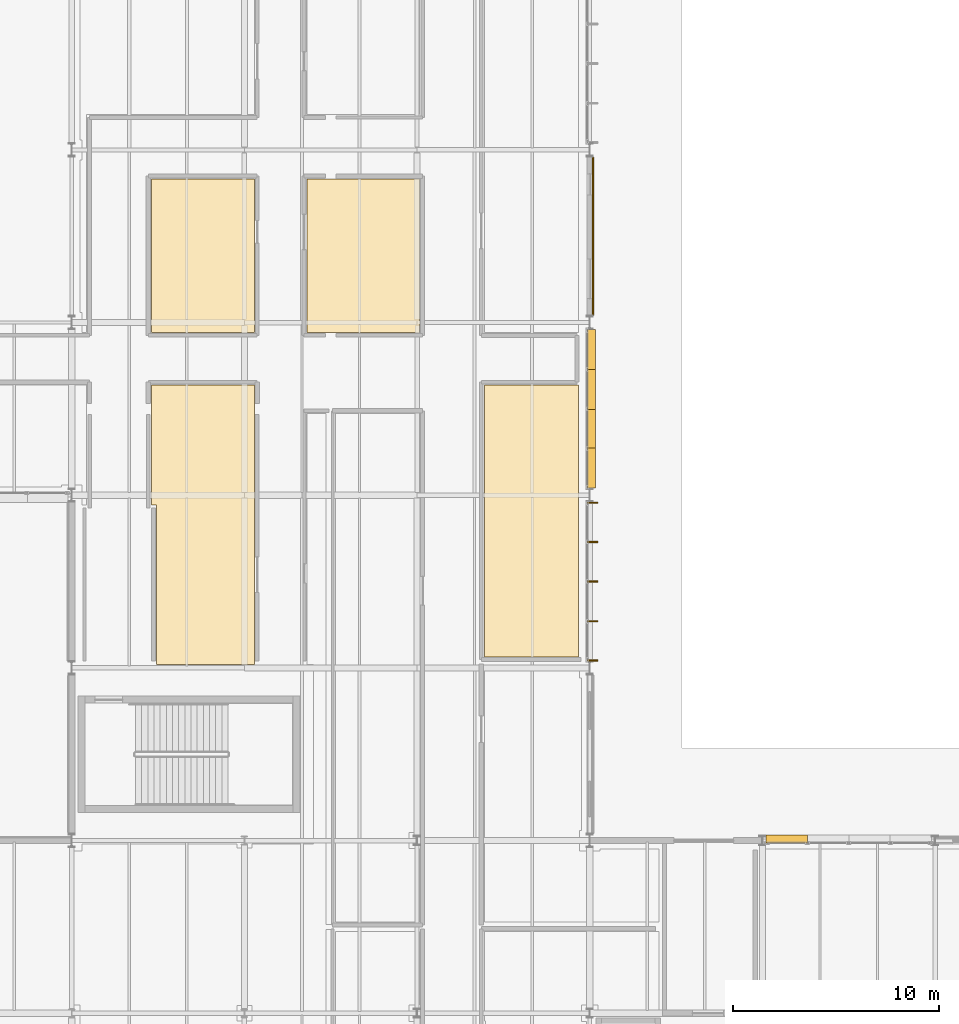
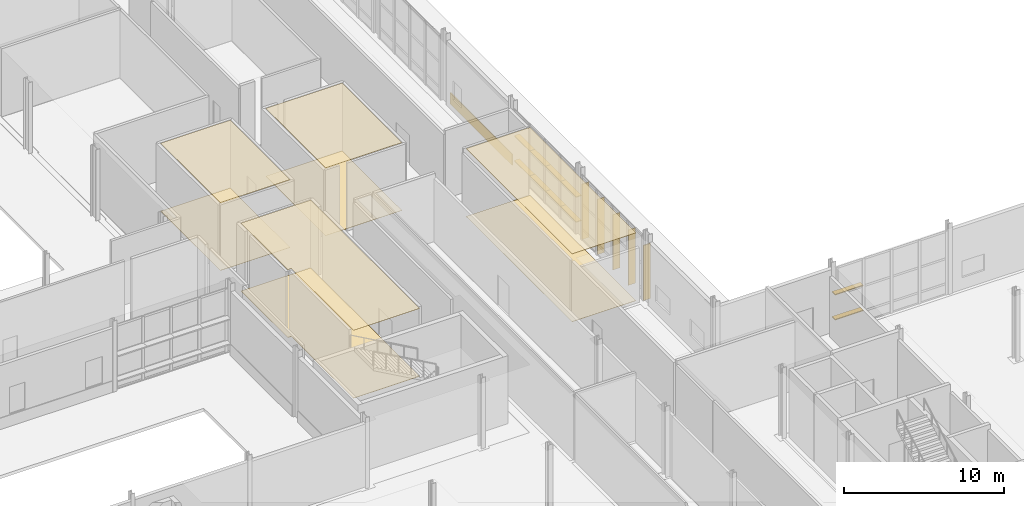
# One storey, part 106 of 124: 15 shading devices, 9 coverings.
"""IFC4 building model written with IfcOpenShell, lengths in metres."""

import ifcopenshell
import ifcopenshell.guid

model = None  # the IFC model being written
_history = None  # IfcOwnerHistory: only IFC2X3 demands one
_inside = {}  # id of a spatial element -> (the spatial element, [elements in it])
_under = {}  # id of a project, library or spatial element -> (it, [spatial elements below it])
_declared = {}  # id of a project -> (the project, [libraries it declares])
_typed = {}  # id of a type object -> (the type object, [elements of that type])
_made_of = {}  # id of a material, layer set ... -> (it, [elements and type objects made of it])


def new_model(schema):
    """Start an empty IFC model of exactly this schema.

    Asked for "IFC4X3", IfcOpenShell would pick the latest addendum, in which some entities
    have other attributes; the version numbers below select the first issue.
    IFC2X3 requires an IfcOwnerHistory on every rooted entity: one is made here for all.
    """
    global model, _history
    if schema == "IFC4X3":
        model = ifcopenshell.file(schema_version=(4, 3, 0, 0))
    else:
        model = ifcopenshell.file(schema=schema)
    _inside.clear()
    _under.clear()
    _declared.clear()
    _typed.clear()
    _made_of.clear()
    _history = None
    if model.schema == "IFC2X3":
        org = make("IfcOrganization", Name="unknown")
        user = make(
            "IfcPersonAndOrganization",
            ThePerson=make("IfcPerson", FamilyName="unknown"),
            TheOrganization=org,
        )
        app = make(
            "IfcApplication",
            ApplicationDeveloper=org,
            Version="unknown",
            ApplicationFullName="unknown",
            ApplicationIdentifier="unknown",
        )
        _history = make(
            "IfcOwnerHistory",
            OwningUser=user,
            OwningApplication=app,
            ChangeAction="ADDED",
            CreationDate=0,
        )
    return model


def make(cls, **values):
    """One entity of the class cls with the attributes given. An attribute that is None is left unset."""
    return model.create_entity(
        cls, **{name: value for name, value in values.items() if value is not None}
    )


def rooted(cls, **values):
    """An entity with a GlobalId (a new one), such as an element, a storey or a relation."""
    return make(cls, GlobalId=ifcopenshell.guid.new(), OwnerHistory=_history, **values)


def si_unit(unit_type, name, prefix=None):
    """IfcSIUnit, for example si_unit("LENGTHUNIT", "METRE", prefix="MILLI")."""
    return make("IfcSIUnit", UnitType=unit_type, Prefix=prefix, Name=name)


def assignment(units):
    """IfcUnitAssignment: the units of a project."""
    return None if units is None else make("IfcUnitAssignment", Units=units)


def point(xyz):
    """IfcCartesianPoint."""
    return None if xyz is None else make("IfcCartesianPoint", Coordinates=xyz)


def direction(xyz):
    """IfcDirection."""
    return None if xyz is None else make("IfcDirection", DirectionRatios=xyz)


def frame(location, z_axis=None, x_axis=None):
    """IfcAxis2Placement3D, a coordinate frame: its origin and axes. An axis left out is left unset."""
    return make(
        "IfcAxis2Placement3D",
        Location=point(location),
        Axis=direction(z_axis),
        RefDirection=direction(x_axis),
    )


def frame_2d(location, x_axis=None):
    """IfcAxis2Placement2D, a coordinate frame in the plane: its origin and x axis."""
    return make(
        "IfcAxis2Placement2D", Location=point(location), RefDirection=direction(x_axis)
    )


def origin():
    """The frame at (0, 0, 0) with its axes left unset."""
    return frame((0.0, 0.0, 0.0))


def origin_2d():
    """The frame at (0, 0) in the plane with its x axis left unset."""
    return frame_2d((0.0, 0.0))


def place(relative_to, where):
    """IfcLocalPlacement: puts the frame where relative to a parent placement (None: the world)."""
    return make(
        "IfcLocalPlacement", PlacementRelTo=relative_to, RelativePlacement=where
    )


def context(
    kind, dimensions, precision=None, world=None, true_north=None, identifier=None
):
    """IfcGeometricRepresentationContext, for example the 3D "Model" context."""
    return make(
        "IfcGeometricRepresentationContext",
        ContextIdentifier=identifier,
        ContextType=kind,
        CoordinateSpaceDimension=dimensions,
        Precision=precision,
        WorldCoordinateSystem=world,
        TrueNorth=true_north,
    )


def subcontext(parent, identifier, kind, view, scale=None):
    """IfcGeometricRepresentationSubContext, for example "Body" below "Model"."""
    return make(
        "IfcGeometricRepresentationSubContext",
        ContextIdentifier=identifier,
        ContextType=kind,
        ParentContext=parent,
        TargetScale=scale,
        TargetView=view,
    )


def project(units=None, contexts=None):
    """IfcProject with its units and contexts."""
    return rooted(
        "IfcProject",
        Name="project",
        RepresentationContexts=contexts,
        UnitsInContext=assignment(units),
    )


def spatial(cls, under=None, at=None, **own):
    """A site, building, storey or space (cls), placed at a placement, below another one or the project."""
    s = rooted(cls, ObjectPlacement=at, **own)
    if under is not None:
        _under.setdefault(under.id(), (under, []))[1].append(s)
    return s


def polyline(points):
    """IfcPolyline through the points."""
    return make("IfcPolyline", Points=[point(p) for p in points])


def profile(cls, at=None, kind="AREA", **sizes):
    """A parametric profile (cls). Its sizes go by their IFC names, for example OverallWidth=200.0."""
    return make(cls, ProfileType=kind, Position=at, **sizes)


def rectangle(**sizes):
    """IfcRectangleProfileDef."""
    return profile("IfcRectangleProfileDef", **sizes)


def outline(outer, holes=None, kind="AREA"):
    """IfcArbitraryClosedProfileDef: a profile drawn as a closed curve; with holes, ...WithVoids."""
    if holes is None:
        return make("IfcArbitraryClosedProfileDef", ProfileType=kind, OuterCurve=outer)
    return make(
        "IfcArbitraryProfileDefWithVoids",
        ProfileType=kind,
        OuterCurve=outer,
        InnerCurves=holes,
    )


def extrude(swept, where, along, depth):
    """IfcExtrudedAreaSolid: the profile swept, set in the frame where, extruded along a direction by depth."""
    return make(
        "IfcExtrudedAreaSolid",
        SweptArea=swept,
        Position=where,
        ExtrudedDirection=direction(along),
        Depth=depth,
    )


def shape(context_of_items, identifier, shape_type, items):
    """IfcShapeRepresentation: the items that make up one representation, for example the "Body"."""
    return make(
        "IfcShapeRepresentation",
        ContextOfItems=context_of_items,
        RepresentationIdentifier=identifier,
        RepresentationType=shape_type,
        Items=items,
    )


def material(Name=None, Category=None):
    """IfcMaterial."""
    return make("IfcMaterial", Name=Name, Category=Category)


def layer(
    of_material, thickness, ventilated=None, Name=None, Category=None, Priority=None
):
    """IfcMaterialLayer: one layer of a wall or slab, of a material (None: an air gap)."""
    return make(
        "IfcMaterialLayer",
        Material=of_material,
        LayerThickness=thickness,
        IsVentilated=ventilated,
        Name=Name,
        Category=Category,
        Priority=Priority,
    )


def layer_set(layers, Name=None):
    """IfcMaterialLayerSet."""
    return make("IfcMaterialLayerSet", MaterialLayers=layers, LayerSetName=Name)


def made_of(thing, what):
    """Note that an element or type object is made of a material, layer set ...; save() writes the relation."""
    if what is not None:
        _made_of.setdefault(what.id(), (what, []))[1].append(thing)
    return thing


def type_object(cls, material=None, **own):
    """A type object (cls), such as IfcWallType, which elements share."""
    return made_of(rooted(cls, **own), material)


def element(
    cls,
    number,
    at=None,
    inside=None,
    cuts=None,
    type_object=None,
    material=None,
    context=None,
    identifier="Body",
    shape_type=None,
    held_by="IfcProductDefinitionShape",
    body=None,
    shapes=None,
    **own,
):
    """One element of the class cls, such as IfcWall. Its Tag is "e" and its number.

    at: its placement. inside: the storey or other place that contains it. cuts: it is an
    opening in that element (IfcRelVoidsElement). A single representation is given by context,
    identifier, shape_type and body (its items); several are given by shapes. held_by: the class
    of the entity that holds the representations. save() writes the other relations.
    """
    e = rooted(cls, Tag="e%d" % number, ObjectPlacement=at, **own)
    if body is not None:
        shapes = [shape(context, identifier, shape_type, body)]
    if shapes is not None:
        e.Representation = make(held_by, Representations=shapes)
    if inside is not None:
        _inside.setdefault(inside.id(), (inside, []))[1].append(e)
    if cuts is not None:
        rooted(
            "IfcRelVoidsElement", RelatingBuildingElement=cuts, RelatedOpeningElement=e
        )
    if type_object is not None:
        _typed.setdefault(type_object.id(), (type_object, []))[1].append(e)
    return made_of(e, material)


def aggregate(whole, parts):
    """IfcRelAggregates: a whole, such as a stair, and the parts it consists of."""
    return rooted("IfcRelAggregates", RelatingObject=whole, RelatedObjects=parts)


def save(model, path):
    """Write the relations noted so far, then the file.

    IfcRelAggregates (storeys below a building ...), IfcRelContainedInSpatialStructure (elements
    in a storey), IfcRelDefinesByType, IfcRelAssociatesMaterial and IfcRelDeclares: one each for
    every whole, place, type object, material and project.
    """
    for whole, parts in _under.values():
        aggregate(whole, parts)
    for where, things in _inside.values():
        rooted(
            "IfcRelContainedInSpatialStructure",
            RelatedElements=things,
            RelatingStructure=where,
        )
    for kind, things in _typed.values():
        rooted("IfcRelDefinesByType", RelatedObjects=things, RelatingType=kind)
    for what, things in _made_of.values():
        rooted("IfcRelAssociatesMaterial", RelatedObjects=things, RelatingMaterial=what)
    for by, libraries in _declared.values():
        rooted("IfcRelDeclares", RelatingContext=by, RelatedDefinitions=libraries)
    model.write(path)


model = new_model("IFC4")

# Units and contexts
model_context = context("Model", 3, precision=1e-05, world=origin(), true_north=direction((0.0, 1.0)))
body_context = subcontext(model_context, "Body", "Model", "MODEL_VIEW")
ifc_project = project(units=[si_unit("LENGTHUNIT", "METRE"), si_unit("AREAUNIT", "SQUARE_METRE"), si_unit("VOLUMEUNIT", "CUBIC_METRE"), si_unit("PLANEANGLEUNIT", "RADIAN"), si_unit("MASSUNIT", "GRAM", prefix="KILO")], contexts=[model_context])

# Site, building, storey
site_placement = place(None, origin())
site = spatial("IfcSite", under=ifc_project, at=site_placement, CompositionType="ELEMENT")
building_placement = place(site_placement, origin())
building = spatial("IfcBuilding", under=site, at=building_placement, Name="Mersafa Astral City Hall", CompositionType="ELEMENT")
storey_placement = place(building_placement, origin())
storey = spatial("IfcBuildingStorey", under=building, at=storey_placement, Name="L00", CompositionType="ELEMENT", Elevation=0.0)

# Covering
ifc_material_1 = material(Name="Cairo Mokattam buff limestone cladding", Category="masonry")
ifc_layer_1 = layer(ifc_material_1, 0.06005859375, Name="Cairo Mokattam buff limestone cladding")
ifc_layer_set_1 = layer_set([ifc_layer_1], Name="Cairo Mokattam buff limestone cladding — ENV-COV-LIMESTONE-60")
covering_type_1 = type_object("IfcCoveringType", Name="ENV-COV-LIMESTONE-60", PredefinedType="CLADDING", material=ifc_layer_set_1)
covering_1_placement = place(storey_placement, frame((117.75439453125, 63.0, 0.0), z_axis=(0.0, 0.0, 1.0), x_axis=(0.0, 1.0, 0.0)))
element("IfcCovering", 1, at=covering_1_placement, inside=storey, type_object=covering_type_1, Name="L00 Cairo buff limestone rainscreen cladding 17", PredefinedType="CLADDING", context=body_context, shape_type="SweptSolid", body=[
    extrude(rectangle(XDim=7.697998046875, YDim=0.06005859375, at=origin_2d()), origin(), (0.0, 0.0, 1.0), 0.860107421875),
])

# Shading devices
ifc_material_2 = material(Name="Anodised bronze aluminium solar fin", Category="aluminium")
shading_device_type_1 = type_object("IfcShadingDeviceType", Name="ENV-SHD-FIN-500B", PredefinedType="USERDEFINED", material=ifc_material_2)
for number, where, z_axis, x_axis, name in (
    (2, (117.7451171875, 42.366943359375, -0.01513671875), (0.0, 0.0, 1.0), (0.0, 1.0, 0.0), "L00 Vertical bronze solar fin 46"),
    (3, (117.7451171875, 44.2685546875, -0.01513671875), (0.0, 0.0, 1.0), (0.0, 1.0, 0.0), "L00 Vertical bronze solar fin 47"),
    (4, (117.7451171875, 46.199951171875, -0.01513671875), (0.0, 0.0, 1.0), (0.0, 1.0, 0.0), "L00 Vertical bronze solar fin 48"),
    (5, (117.7451171875, 48.131591796875, -0.01513671875), (0.0, 0.0, 1.0), (0.0, 1.0, 0.0), "L00 Vertical bronze solar fin 49"),
    (6, (117.7451171875, 50.032958984375, -0.01513671875), (0.0, 0.0, 1.0), (0.0, 1.0, 0.0), "L00 Vertical bronze solar fin 50"),
):
    element("IfcShadingDevice", number, at=place(storey_placement, frame(where, z_axis=z_axis, x_axis=x_axis)), inside=storey, type_object=shading_device_type_1, Name=name, ObjectType="FIN", PredefinedType="USERDEFINED", context=body_context, shape_type="SweptSolid", body=[
        extrude(rectangle(XDim=0.06005859375, YDim=0.5, at=origin_2d()), origin(), (0.0, 0.0, 1.0), 4.199951171875),
    ])
ifc_material_3 = material(Name="Kiln-dried cedar timber brise-soleil blade", Category="wood")
shading_device_type_2 = type_object("IfcShadingDeviceType", Name="ENV-SHD-LOUVRE-380", PredefinedType="JALOUSIE", material=ifc_material_3)
for number, where, z_axis, x_axis, name in (
    (7, (127.1865234375, 33.679931640625, 0.81494140625), (0.0, 0.0, 1.0), (-1.0, 0.0, 0.0), "L00 Horizontal cedar brise-soleil louvre 41"),
    (8, (127.1865234375, 33.679931640625, 2.71484375), (0.0, 0.0, 1.0), (-1.0, 0.0, 0.0), "L00 Horizontal cedar brise-soleil louvre 45"),
):
    element("IfcShadingDevice", number, at=place(storey_placement, frame(where, z_axis=z_axis, x_axis=x_axis)), inside=storey, type_object=shading_device_type_2, Name=name, PredefinedType="JALOUSIE", context=body_context, shape_type="SweptSolid", body=[
        extrude(rectangle(XDim=2.029052734375, YDim=0.3798828125, at=origin_2d()), origin(), (0.0, 0.0, 1.0), 0.070068359375),
    ])
shading_device_1_placement = place(storey_placement, frame((117.679931640625, 51.7177734375, 0.81494140625), z_axis=(0.0, 0.0, 1.0), x_axis=(0.0, 1.0, 0.0)))
element("IfcShadingDevice", 9, at=shading_device_1_placement, inside=storey, type_object=shading_device_type_2, Name="L00 Horizontal cedar brise-soleil louvre 51", PredefinedType="JALOUSIE", context=body_context, shape_type="SweptSolid", body=[
    extrude(rectangle(XDim=1.94140625, YDim=0.3798828125, at=origin_2d()), origin(), (0.0, 0.0, 1.0), 0.070068359375),
])
for number, where, z_axis, x_axis, name in (
    (10, (117.679931640625, 53.63427734375, 0.81494140625), (0.0, 0.0, 1.0), (0.0, 1.0, 0.0), "L00 Horizontal cedar brise-soleil louvre 52"),
    (11, (117.679931640625, 55.56591796875, 0.81494140625), (0.0, 0.0, 1.0), (0.0, 1.0, 0.0), "L00 Horizontal cedar brise-soleil louvre 53"),
):
    element("IfcShadingDevice", number, at=place(storey_placement, frame(where, z_axis=z_axis, x_axis=x_axis)), inside=storey, type_object=shading_device_type_2, Name=name, PredefinedType="JALOUSIE", context=body_context, shape_type="SweptSolid", body=[
        extrude(rectangle(XDim=1.971435546875, YDim=0.3798828125, at=origin_2d()), origin(), (0.0, 0.0, 1.0), 0.070068359375),
    ])
for number, where, z_axis, x_axis, name in (
    (12, (117.679931640625, 57.482421875, 0.81494140625), (0.0, 0.0, 1.0), (0.0, 1.0, 0.0), "L00 Horizontal cedar brise-soleil louvre 54"),
    (13, (117.679931640625, 51.7177734375, 2.71484375), (0.0, 0.0, 1.0), (0.0, 1.0, 0.0), "L00 Horizontal cedar brise-soleil louvre 55"),
):
    element("IfcShadingDevice", number, at=place(storey_placement, frame(where, z_axis=z_axis, x_axis=x_axis)), inside=storey, type_object=shading_device_type_2, Name=name, PredefinedType="JALOUSIE", context=body_context, shape_type="SweptSolid", body=[
        extrude(rectangle(XDim=1.94140625, YDim=0.3798828125, at=origin_2d()), origin(), (0.0, 0.0, 1.0), 0.070068359375),
    ])
for number, where, z_axis, x_axis, name in (
    (14, (117.679931640625, 53.63427734375, 2.71484375), (0.0, 0.0, 1.0), (0.0, 1.0, 0.0), "L00 Horizontal cedar brise-soleil louvre 56"),
    (15, (117.679931640625, 55.56591796875, 2.71484375), (0.0, 0.0, 1.0), (0.0, 1.0, 0.0), "L00 Horizontal cedar brise-soleil louvre 57"),
):
    element("IfcShadingDevice", number, at=place(storey_placement, frame(where, z_axis=z_axis, x_axis=x_axis)), inside=storey, type_object=shading_device_type_2, Name=name, PredefinedType="JALOUSIE", context=body_context, shape_type="SweptSolid", body=[
        extrude(rectangle(XDim=1.971435546875, YDim=0.3798828125, at=origin_2d()), origin(), (0.0, 0.0, 1.0), 0.070068359375),
    ])
shading_device_2_placement = place(storey_placement, frame((117.679931640625, 57.482421875, 2.71484375), z_axis=(0.0, 0.0, 1.0), x_axis=(0.0, 1.0, 0.0)))
element("IfcShadingDevice", 16, at=shading_device_2_placement, inside=storey, type_object=shading_device_type_2, Name="L00 Horizontal cedar brise-soleil louvre 58", PredefinedType="JALOUSIE", context=body_context, shape_type="SweptSolid", body=[
    extrude(rectangle(XDim=1.94140625, YDim=0.3798828125, at=origin_2d()), origin(), (0.0, 0.0, 1.0), 0.070068359375),
])

# Coverings
ifc_material_4 = material(Name="Perforated acoustic gypsum board ceiling", Category="gypsum")
ifc_layer_2 = layer(ifc_material_4, 0.02490234375, Name="Perforated acoustic gypsum board ceiling")
ifc_layer_set_2 = layer_set([ifc_layer_2], Name="Perforated acoustic gypsum board ceiling — INT-COV-CEIL-25")
covering_type_2 = type_object("IfcCoveringType", Name="INT-COV-CEIL-25", PredefinedType="CEILING", material=ifc_layer_set_2)
covering_2_placement = place(storey_placement, frame((0.0, 0.0, 5.156005859375)))
element("IfcCovering", 17, at=covering_2_placement, inside=storey, type_object=covering_type_2, Name="L00 Press & Media Accreditation Room L00-19 acoustic ceiling", PredefinedType="CEILING", context=body_context, shape_type="SweptSolid", body=[
    extrude(outline(polyline([(101.280029296875, 42.159912109375), (96.52001953125, 42.159912109375), (96.52001953125, 49.919921875), (96.27001953125, 49.919921875), (96.27001953125, 55.760009765625), (101.280029296875, 55.760009765625), (101.280029296875, 42.159912109375)])), origin(), (0.0, 0.0, 1.0), 0.02490234375),
])
covering_3_placement = place(storey_placement, frame((0.0, 0.0, 5.156005859375)))
element("IfcCovering", 18, at=covering_3_placement, inside=storey, type_object=covering_type_2, Name="L00 Public Hearings Auditorium L00-23 acoustic ceiling", PredefinedType="CEILING", context=body_context, shape_type="SweptSolid", body=[
    extrude(outline(polyline([(96.27001953125, 65.780029296875), (101.280029296875, 65.780029296875), (101.280029296875, 58.320068359375), (96.27001953125, 58.320068359375), (96.27001953125, 65.780029296875)])), origin(), (0.0, 0.0, 1.0), 0.02490234375),
])
covering_4_placement = place(storey_placement, frame((0.0, 0.0, 5.156005859375)))
element("IfcCovering", 19, at=covering_4_placement, inside=storey, type_object=covering_type_2, Name="L00 Press & Media Accreditation Room L00-28 acoustic ceiling", PredefinedType="CEILING", context=body_context, shape_type="SweptSolid", body=[
    extrude(outline(polyline([(109.330078125, 58.320068359375), (103.840087890625, 58.320068359375), (103.840087890625, 65.780029296875), (109.330078125, 65.780029296875), (109.330078125, 58.320068359375)])), origin(), (0.0, 0.0, 1.0), 0.02490234375),
])
ifc_material_5 = material(Name="Slatted cedar timber acoustic baffle ceiling", Category="wood")
ifc_layer_3 = layer(ifc_material_5, 0.034912109375, Name="Slatted cedar timber acoustic baffle ceiling")
ifc_layer_set_3 = layer_set([ifc_layer_3], Name="Slatted cedar timber acoustic baffle ceiling — INT-COV-CEIL-35")
covering_type_3 = type_object("IfcCoveringType", Name="INT-COV-CEIL-35", PredefinedType="CEILING", material=ifc_layer_set_3)
covering_5_placement = place(storey_placement, frame((0.0, 0.0, 5.14599609375)))
element("IfcCovering", 20, at=covering_5_placement, inside=storey, type_object=covering_type_3, Name="L00 Public Hall acoustic ceiling", PredefinedType="CEILING", context=body_context, shape_type="SweptSolid", body=[
    extrude(outline(polyline([(112.469970703125, 42.5400390625), (112.469970703125, 55.760009765625), (117.06005859375, 55.760009765625), (117.06005859375, 42.5400390625), (112.469970703125, 42.5400390625)])), origin(), (0.0, 0.0, 1.0), 0.034912109375),
])
ifc_material_6 = material(Name="Honed Cairo limestone terrazzo flooring", Category="masonry")
ifc_layer_4 = layer(ifc_material_6, 0.02001953125, Name="Honed Cairo limestone terrazzo flooring")
ifc_layer_set_4 = layer_set([ifc_layer_4], Name="Honed Cairo limestone terrazzo flooring — INT-COV-FLR-20")
covering_type_4 = type_object("IfcCoveringType", Name="INT-COV-FLR-20", PredefinedType="FLOORING", material=ifc_layer_set_4)
covering_6_placement = place(storey_placement, frame((0.0, 0.0, -0.00146484375)))
element("IfcCovering", 21, at=covering_6_placement, inside=storey, type_object=covering_type_4, Name="L00 Public Hall architectural flooring", PredefinedType="FLOORING", context=body_context, shape_type="SweptSolid", body=[
    extrude(outline(polyline([(112.469970703125, 42.5400390625), (112.469970703125, 55.760009765625), (117.06005859375, 55.760009765625), (117.06005859375, 42.5400390625), (112.469970703125, 42.5400390625)])), origin(), (0.0, 0.0, 1.0), 0.02001953125),
])
covering_7_placement = place(storey_placement, frame((0.0, 0.0, -0.00146484375)))
element("IfcCovering", 22, at=covering_7_placement, inside=storey, type_object=covering_type_4, Name="L00 Press & Media Accreditation Room L00-19 architectural flooring", PredefinedType="FLOORING", context=body_context, shape_type="SweptSolid", body=[
    extrude(outline(polyline([(101.280029296875, 42.159912109375), (96.52001953125, 42.159912109375), (96.52001953125, 49.919921875), (96.27001953125, 49.919921875), (96.27001953125, 55.760009765625), (101.280029296875, 55.760009765625), (101.280029296875, 42.159912109375)])), origin(), (0.0, 0.0, 1.0), 0.02001953125),
])
covering_8_placement = place(storey_placement, frame((0.0, 0.0, -0.00146484375)))
element("IfcCovering", 23, at=covering_8_placement, inside=storey, type_object=covering_type_4, Name="L00 Public Hearings Auditorium L00-23 architectural flooring", PredefinedType="FLOORING", context=body_context, shape_type="SweptSolid", body=[
    extrude(outline(polyline([(96.27001953125, 65.780029296875), (101.280029296875, 65.780029296875), (101.280029296875, 58.320068359375), (96.27001953125, 58.320068359375), (96.27001953125, 65.780029296875)])), origin(), (0.0, 0.0, 1.0), 0.02001953125),
])
covering_9_placement = place(storey_placement, frame((0.0, 0.0, -0.00146484375)))
element("IfcCovering", 24, at=covering_9_placement, inside=storey, type_object=covering_type_4, Name="L00 Press & Media Accreditation Room L00-28 architectural flooring", PredefinedType="FLOORING", context=body_context, shape_type="SweptSolid", body=[
    extrude(outline(polyline([(109.330078125, 58.320068359375), (103.840087890625, 58.320068359375), (103.840087890625, 65.780029296875), (109.330078125, 65.780029296875), (109.330078125, 58.320068359375)])), origin(), (0.0, 0.0, 1.0), 0.02001953125),
])

save(model, "model.ifc")
